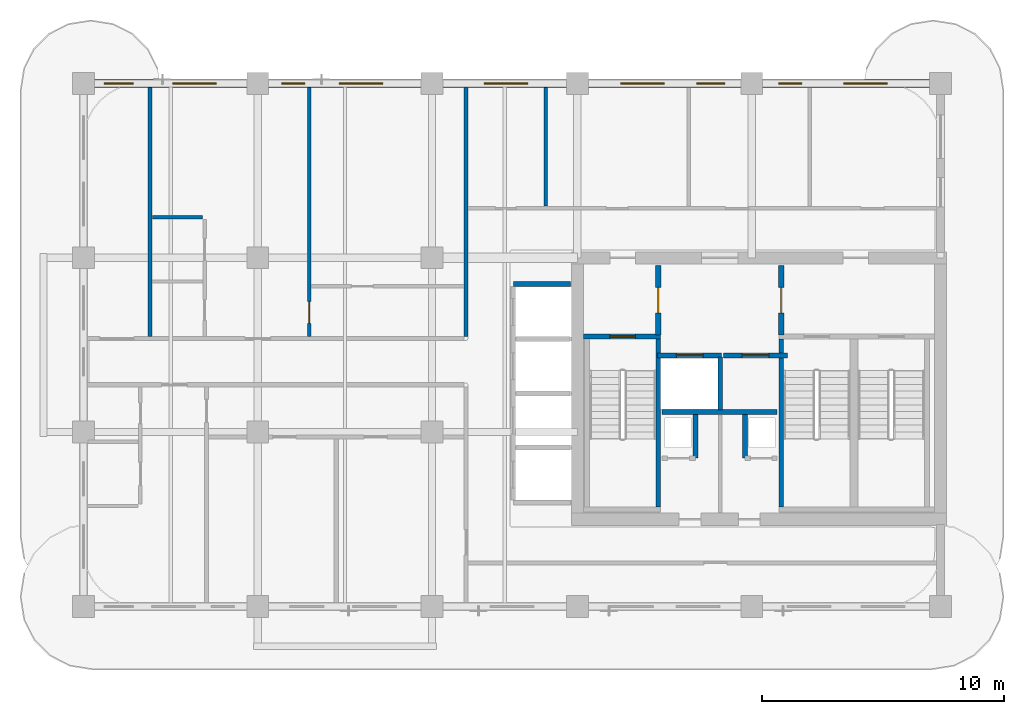
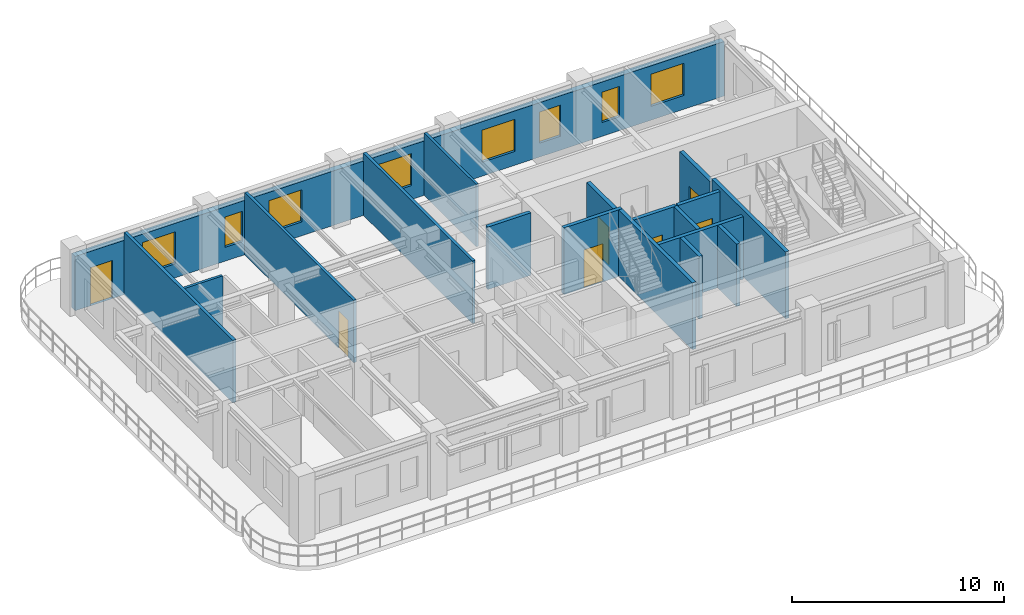
# One storey, part 4 of 7: 18 walls, 8 windows, 7 doors, 15 openings.
"""IFC4 building model written with IfcOpenShell, lengths in metres."""

import ifcopenshell
import ifcopenshell.guid

model = None  # the IFC model being written
_history = None  # IfcOwnerHistory: only IFC2X3 demands one
_inside = {}  # id of a spatial element -> (the spatial element, [elements in it])
_under = {}  # id of a project, library or spatial element -> (it, [spatial elements below it])
_declared = {}  # id of a project -> (the project, [libraries it declares])
_typed = {}  # id of a type object -> (the type object, [elements of that type])
_made_of = {}  # id of a material, layer set ... -> (it, [elements and type objects made of it])


def new_model(schema):
    """Start an empty IFC model of exactly this schema.

    Asked for "IFC4X3", IfcOpenShell would pick the latest addendum, in which some entities
    have other attributes; the version numbers below select the first issue.
    IFC2X3 requires an IfcOwnerHistory on every rooted entity: one is made here for all.
    """
    global model, _history
    if schema == "IFC4X3":
        model = ifcopenshell.file(schema_version=(4, 3, 0, 0))
    else:
        model = ifcopenshell.file(schema=schema)
    _inside.clear()
    _under.clear()
    _declared.clear()
    _typed.clear()
    _made_of.clear()
    _history = None
    if model.schema == "IFC2X3":
        org = make("IfcOrganization", Name="unknown")
        user = make(
            "IfcPersonAndOrganization",
            ThePerson=make("IfcPerson", FamilyName="unknown"),
            TheOrganization=org,
        )
        app = make(
            "IfcApplication",
            ApplicationDeveloper=org,
            Version="unknown",
            ApplicationFullName="unknown",
            ApplicationIdentifier="unknown",
        )
        _history = make(
            "IfcOwnerHistory",
            OwningUser=user,
            OwningApplication=app,
            ChangeAction="ADDED",
            CreationDate=0,
        )
    return model


def make(cls, **values):
    """One entity of the class cls with the attributes given. An attribute that is None is left unset."""
    return model.create_entity(
        cls, **{name: value for name, value in values.items() if value is not None}
    )


def rooted(cls, **values):
    """An entity with a GlobalId (a new one), such as an element, a storey or a relation."""
    return make(cls, GlobalId=ifcopenshell.guid.new(), OwnerHistory=_history, **values)


def si_unit(unit_type, name, prefix=None):
    """IfcSIUnit, for example si_unit("LENGTHUNIT", "METRE", prefix="MILLI")."""
    return make("IfcSIUnit", UnitType=unit_type, Prefix=prefix, Name=name)


def derived_unit(unit_type, elements):
    """IfcDerivedUnit: a product of units, each with its exponent."""
    return make(
        "IfcDerivedUnit",
        Elements=[
            make("IfcDerivedUnitElement", Unit=unit, Exponent=power)
            for unit, power in elements
        ],
        UnitType=unit_type,
    )


def assignment(units):
    """IfcUnitAssignment: the units of a project."""
    return None if units is None else make("IfcUnitAssignment", Units=units)


def point(xyz):
    """IfcCartesianPoint."""
    return None if xyz is None else make("IfcCartesianPoint", Coordinates=xyz)


def direction(xyz):
    """IfcDirection."""
    return None if xyz is None else make("IfcDirection", DirectionRatios=xyz)


def frame(location, z_axis=None, x_axis=None):
    """IfcAxis2Placement3D, a coordinate frame: its origin and axes. An axis left out is left unset."""
    return make(
        "IfcAxis2Placement3D",
        Location=point(location),
        Axis=direction(z_axis),
        RefDirection=direction(x_axis),
    )


def frame_2d(location, x_axis=None):
    """IfcAxis2Placement2D, a coordinate frame in the plane: its origin and x axis."""
    return make(
        "IfcAxis2Placement2D", Location=point(location), RefDirection=direction(x_axis)
    )


def origin():
    """The frame at (0, 0, 0) with its axes left unset."""
    return frame((0.0, 0.0, 0.0))


def place(relative_to, where):
    """IfcLocalPlacement: puts the frame where relative to a parent placement (None: the world)."""
    return make(
        "IfcLocalPlacement", PlacementRelTo=relative_to, RelativePlacement=where
    )


def context(
    kind, dimensions, precision=None, world=None, true_north=None, identifier=None
):
    """IfcGeometricRepresentationContext, for example the 3D "Model" context."""
    return make(
        "IfcGeometricRepresentationContext",
        ContextIdentifier=identifier,
        ContextType=kind,
        CoordinateSpaceDimension=dimensions,
        Precision=precision,
        WorldCoordinateSystem=world,
        TrueNorth=true_north,
    )


def subcontext(parent, identifier, kind, view, scale=None):
    """IfcGeometricRepresentationSubContext, for example "Body" below "Model"."""
    return make(
        "IfcGeometricRepresentationSubContext",
        ContextIdentifier=identifier,
        ContextType=kind,
        ParentContext=parent,
        TargetScale=scale,
        TargetView=view,
    )


def project(units=None, contexts=None):
    """IfcProject with its units and contexts."""
    return rooted(
        "IfcProject",
        Name="project",
        RepresentationContexts=contexts,
        UnitsInContext=assignment(units),
    )


def spatial(cls, under=None, at=None, **own):
    """A site, building, storey or space (cls), placed at a placement, below another one or the project."""
    s = rooted(cls, ObjectPlacement=at, **own)
    if under is not None:
        _under.setdefault(under.id(), (under, []))[1].append(s)
    return s


def profile(cls, at=None, kind="AREA", **sizes):
    """A parametric profile (cls). Its sizes go by their IFC names, for example OverallWidth=200.0."""
    return make(cls, ProfileType=kind, Position=at, **sizes)


def rectangle(**sizes):
    """IfcRectangleProfileDef."""
    return profile("IfcRectangleProfileDef", **sizes)


def extrude(swept, where, along, depth):
    """IfcExtrudedAreaSolid: the profile swept, set in the frame where, extruded along a direction by depth."""
    return make(
        "IfcExtrudedAreaSolid",
        SweptArea=swept,
        Position=where,
        ExtrudedDirection=direction(along),
        Depth=depth,
    )


def shape(context_of_items, identifier, shape_type, items):
    """IfcShapeRepresentation: the items that make up one representation, for example the "Body"."""
    return make(
        "IfcShapeRepresentation",
        ContextOfItems=context_of_items,
        RepresentationIdentifier=identifier,
        RepresentationType=shape_type,
        Items=items,
    )


def source(mapping_origin, context_of_items, identifier, shape_type, items):
    """IfcRepresentationMap: a shape defined once, which mapped items show again and again."""
    return make(
        "IfcRepresentationMap",
        MappingOrigin=mapping_origin,
        MappedRepresentation=shape(context_of_items, identifier, shape_type, items),
    )


def transform(
    local_origin,
    x_axis=None,
    y_axis=None,
    z_axis=None,
    scale=None,
    scale2=None,
    scale3=None,
    uniform=True,
):
    """IfcCartesianTransformationOperator3D, or its non-uniform kind. x_axis, y_axis, z_axis: its Axis1, 2, 3."""
    if uniform:
        return make(
            "IfcCartesianTransformationOperator3D",
            Axis1=direction(x_axis),
            Axis2=direction(y_axis),
            LocalOrigin=point(local_origin),
            Scale=scale,
            Axis3=direction(z_axis),
        )
    return make(
        "IfcCartesianTransformationOperator3DnonUniform",
        Axis1=direction(x_axis),
        Axis2=direction(y_axis),
        LocalOrigin=point(local_origin),
        Scale=scale,
        Axis3=direction(z_axis),
        Scale2=scale2,
        Scale3=scale3,
    )


def mapped(mapping_source, mapping_target):
    """IfcMappedItem: shows the shape of a source again, moved by a transform."""
    return make(
        "IfcMappedItem", MappingSource=mapping_source, MappingTarget=mapping_target
    )


def material(Name=None, Category=None):
    """IfcMaterial."""
    return make("IfcMaterial", Name=Name, Category=Category)


def layer(
    of_material, thickness, ventilated=None, Name=None, Category=None, Priority=None
):
    """IfcMaterialLayer: one layer of a wall or slab, of a material (None: an air gap)."""
    return make(
        "IfcMaterialLayer",
        Material=of_material,
        LayerThickness=thickness,
        IsVentilated=ventilated,
        Name=Name,
        Category=Category,
        Priority=Priority,
    )


def layer_set(layers, Name=None):
    """IfcMaterialLayerSet."""
    return make("IfcMaterialLayerSet", MaterialLayers=layers, LayerSetName=Name)


def made_of(thing, what):
    """Note that an element or type object is made of a material, layer set ...; save() writes the relation."""
    if what is not None:
        _made_of.setdefault(what.id(), (what, []))[1].append(thing)
    return thing


def type_object(cls, material=None, **own):
    """A type object (cls), such as IfcWallType, which elements share."""
    return made_of(rooted(cls, **own), material)


def type_shapes(of_type, sources):
    """Give a type object the sources (RepresentationMaps) that its elements show as mapped items."""
    of_type.RepresentationMaps = sources


def element(
    cls,
    number,
    at=None,
    inside=None,
    cuts=None,
    type_object=None,
    material=None,
    context=None,
    identifier="Body",
    shape_type=None,
    held_by="IfcProductDefinitionShape",
    body=None,
    shapes=None,
    **own,
):
    """One element of the class cls, such as IfcWall. Its Tag is "e" and its number.

    at: its placement. inside: the storey or other place that contains it. cuts: it is an
    opening in that element (IfcRelVoidsElement). A single representation is given by context,
    identifier, shape_type and body (its items); several are given by shapes. held_by: the class
    of the entity that holds the representations. save() writes the other relations.
    """
    e = rooted(cls, Tag="e%d" % number, ObjectPlacement=at, **own)
    if body is not None:
        shapes = [shape(context, identifier, shape_type, body)]
    if shapes is not None:
        e.Representation = make(held_by, Representations=shapes)
    if inside is not None:
        _inside.setdefault(inside.id(), (inside, []))[1].append(e)
    if cuts is not None:
        rooted(
            "IfcRelVoidsElement", RelatingBuildingElement=cuts, RelatedOpeningElement=e
        )
    if type_object is not None:
        _typed.setdefault(type_object.id(), (type_object, []))[1].append(e)
    return made_of(e, material)


def fill(opening, filler):
    """IfcRelFillsElement: the door or window that sits in an opening."""
    return rooted(
        "IfcRelFillsElement",
        RelatingOpeningElement=opening,
        RelatedBuildingElement=filler,
    )


def aggregate(whole, parts):
    """IfcRelAggregates: a whole, such as a stair, and the parts it consists of."""
    return rooted("IfcRelAggregates", RelatingObject=whole, RelatedObjects=parts)


def save(model, path):
    """Write the relations noted so far, then the file.

    IfcRelAggregates (storeys below a building ...), IfcRelContainedInSpatialStructure (elements
    in a storey), IfcRelDefinesByType, IfcRelAssociatesMaterial and IfcRelDeclares: one each for
    every whole, place, type object, material and project.
    """
    for whole, parts in _under.values():
        aggregate(whole, parts)
    for where, things in _inside.values():
        rooted(
            "IfcRelContainedInSpatialStructure",
            RelatedElements=things,
            RelatingStructure=where,
        )
    for kind, things in _typed.values():
        rooted("IfcRelDefinesByType", RelatedObjects=things, RelatingType=kind)
    for what, things in _made_of.values():
        rooted("IfcRelAssociatesMaterial", RelatedObjects=things, RelatingMaterial=what)
    for by, libraries in _declared.values():
        rooted("IfcRelDeclares", RelatingContext=by, RelatedDefinitions=libraries)
    model.write(path)


model = new_model("IFC4")

# Units and contexts
model_context = context("Model", 3, precision=1e-05, world=origin(), true_north=direction((0.0, 1.0)))
body_context = subcontext(model_context, "Body", "Model", "MODEL_VIEW")
ifc_project = project(units=[si_unit("LENGTHUNIT", "METRE"), si_unit("AREAUNIT", "SQUARE_METRE"), si_unit("VOLUMEUNIT", "CUBIC_METRE"), si_unit("PLANEANGLEUNIT", "RADIAN"), si_unit("MASSUNIT", "GRAM", prefix="KILO"), si_unit("THERMODYNAMICTEMPERATUREUNIT", "KELVIN"), si_unit("POWERUNIT", "WATT"), derived_unit("THERMALTRANSMITTANCEUNIT", [(si_unit("POWERUNIT", "WATT"), 1), (si_unit("AREAUNIT", "SQUARE_METRE"), -1), (si_unit("THERMODYNAMICTEMPERATUREUNIT", "KELVIN"), -1)])], contexts=[model_context])

# Site, building, storey
site_placement = place(None, origin())
site = spatial("IfcSite", under=ifc_project, at=site_placement, CompositionType="ELEMENT")
building_placement = place(site_placement, origin())
building = spatial("IfcBuilding", under=site, at=building_placement, Name="Zahravan Archway Hotel and Residences", CompositionType="ELEMENT")
storey_placement = place(building_placement, frame((0.0, 0.0, 217.300048828125)))
storey = spatial("IfcBuildingStorey", under=building, at=storey_placement, Name="L54", CompositionType="ELEMENT", Elevation=217.300048828125)

# Wall, openings, door, windows
ifc_material_1 = material(Name="Agra Buff Sandstone & Insulated Backup", Category="masonry")
ifc_layer_1 = layer(ifc_material_1, 0.320068359375, Name="Agra Buff Sandstone & Insulated Backup", Category="masonry")
ifc_layer_set_1 = layer_set([ifc_layer_1], Name="Agra Buff Sandstone & Insulated Backup")
wall_type_1 = type_object("IfcWallType", Name="EW-SAND-320", PredefinedType="SOLIDWALL", material=ifc_layer_set_1)
wall_1_placement = place(storey_placement, frame((14.39990234375, 21.60009765625, 0.0), z_axis=(0.0, 0.0, 1.0), x_axis=(1.0, 0.0, 0.0)))
wall_1 = element("IfcWall", 1, at=wall_1_placement, inside=storey, type_object=wall_type_1, Name="L54 Exterior Sandstone Wall WA-N", PredefinedType="SOLIDWALL", context=body_context, shape_type="SweptSolid", body=[
    extrude(rectangle(XDim=35.400146484375, YDim=0.320068359375, at=frame_2d((17.7001953125, 0.0))), origin(), (0.0, 0.0, 1.0), 3.135009765625),
])
opening_1_placement = place(wall_1_placement, frame((0.85009765625, 0.0, 0.0)))
opening_1 = element("IfcOpeningElement", 2, at=opening_1_placement, cuts=wall_1, Name="Opening ED-BL1", PredefinedType="OPENING", context=body_context, shape_type="SweptSolid", body=[
    extrude(rectangle(XDim=1.199951171875, YDim=2.199951171875, at=frame_2d((0.60009765625, 1.10009765625))), frame((0.0, 0.169921875, 0.0), z_axis=(0.0, -1.0, 0.0), x_axis=(1.0, 0.0, 0.0)), (0.0, 0.0, 1.0), 0.340087890625),
])
opening_2_placement = place(wall_1_placement, frame((3.678955078125, 0.0, 0.800048828125)))
opening_2 = element("IfcOpeningElement", 3, at=opening_2_placement, cuts=wall_1, Name="Opening W-02", PredefinedType="OPENING", context=body_context, shape_type="SweptSolid", body=[
    extrude(rectangle(XDim=1.800048828125, YDim=1.85009765625, at=frame_2d((0.89990234375, 0.925048828125))), frame((0.0, 0.169921875, 0.0), z_axis=(0.0, -1.0, 0.0), x_axis=(1.0, 0.0, 0.0)), (0.0, 0.0, 1.0), 0.340087890625),
])
opening_3_placement = place(wall_1_placement, frame((8.180908203125, 0.0, 0.800048828125)))
opening_3 = element("IfcOpeningElement", 4, at=opening_3_placement, cuts=wall_1, Name="Opening W-04", PredefinedType="OPENING", context=body_context, shape_type="SweptSolid", body=[
    extrude(rectangle(XDim=0.949951171875, YDim=1.75, at=frame_2d((0.47509765625, 0.875))), frame((0.0, 0.169921875, 0.0), z_axis=(0.0, -1.0, 0.0), x_axis=(1.0, 0.0, 0.0)), (0.0, 0.0, 1.0), 0.340087890625),
])
opening_4_placement = place(wall_1_placement, frame((10.56396484375, 0.0, 0.800048828125)))
opening_4 = element("IfcOpeningElement", 5, at=opening_4_placement, cuts=wall_1, Name="Opening W-02", PredefinedType="OPENING", context=body_context, shape_type="SweptSolid", body=[
    extrude(rectangle(XDim=1.800048828125, YDim=1.85009765625, at=frame_2d((0.89990234375, 0.925048828125))), frame((0.0, 0.169921875, 0.0), z_axis=(0.0, -1.0, 0.0), x_axis=(1.0, 0.0, 0.0)), (0.0, 0.0, 1.0), 0.340087890625),
])
opening_5_placement = place(wall_1_placement, frame((16.551025390625, 0.0, 0.800048828125)))
opening_5 = element("IfcOpeningElement", 6, at=opening_5_placement, cuts=wall_1, Name="Opening W-02", PredefinedType="OPENING", context=body_context, shape_type="SweptSolid", body=[
    extrude(rectangle(XDim=1.800048828125, YDim=1.85009765625, at=frame_2d((0.89990234375, 0.925048828125))), frame((0.0, 0.169921875, 0.0), z_axis=(0.0, -1.0, 0.0), x_axis=(1.0, 0.0, 0.0)), (0.0, 0.0, 1.0), 0.340087890625),
])
opening_6_placement = place(wall_1_placement, frame((22.196044921875, 0.0, 0.800048828125)))
opening_6 = element("IfcOpeningElement", 7, at=opening_6_placement, cuts=wall_1, Name="Opening W-02", PredefinedType="OPENING", context=body_context, shape_type="SweptSolid", body=[
    extrude(rectangle(XDim=1.800048828125, YDim=1.85009765625, at=frame_2d((0.89990234375, 0.925048828125))), frame((0.0, 0.169921875, 0.0), z_axis=(0.0, -1.0, 0.0), x_axis=(1.0, 0.0, 0.0)), (0.0, 0.0, 1.0), 0.340087890625),
])
opening_7_placement = place(wall_1_placement, frame((25.3291015625, 0.0, 0.800048828125)))
opening_7 = element("IfcOpeningElement", 8, at=opening_7_placement, cuts=wall_1, Name="Opening W-05", PredefinedType="OPENING", context=body_context, shape_type="SweptSolid", body=[
    extrude(rectangle(XDim=1.14990234375, YDim=1.800048828125, at=frame_2d((0.574951171875, 0.89990234375))), frame((0.0, 0.169921875, 0.0), z_axis=(0.0, -1.0, 0.0), x_axis=(1.0, 0.0, 0.0)), (0.0, 0.0, 1.0), 0.340087890625),
])
opening_8_placement = place(wall_1_placement, frame((28.720947265625, 0.0, 0.800048828125)))
opening_8 = element("IfcOpeningElement", 9, at=opening_8_placement, cuts=wall_1, Name="Opening W-04", PredefinedType="OPENING", context=body_context, shape_type="SweptSolid", body=[
    extrude(rectangle(XDim=0.949951171875, YDim=1.75, at=frame_2d((0.47509765625, 0.875))), frame((0.0, 0.169921875, 0.0), z_axis=(0.0, -1.0, 0.0), x_axis=(1.0, 0.0, 0.0)), (0.0, 0.0, 1.0), 0.340087890625),
])
opening_9_placement = place(wall_1_placement, frame((31.404052734375, 0.0, 0.800048828125)))
opening_9 = element("IfcOpeningElement", 10, at=opening_9_placement, cuts=wall_1, Name="Opening W-02", PredefinedType="OPENING", context=body_context, shape_type="SweptSolid", body=[
    extrude(rectangle(XDim=1.800048828125, YDim=1.85009765625, at=frame_2d((0.89990234375, 0.925048828125))), frame((0.0, 0.169921875, 0.0), z_axis=(0.0, -1.0, 0.0), x_axis=(1.0, 0.0, 0.0)), (0.0, 0.0, 1.0), 0.340087890625),
])
ifc_material_2 = material(Name="Bronze-Anodized Glazed Aluminium", Category="aluminium")
door_type_1 = type_object("IfcDoorType", Name="ED-BALC-1200", OperationType="SLIDING_TO_LEFT", PredefinedType="DOOR", material=ifc_material_2)
shared_shape_1 = source(origin(), body_context, "Body", "SweptSolid", [
    extrude(rectangle(XDim=1.199951171875, YDim=2.199951171875, at=frame_2d((0.60009765625, 1.10009765625))), frame((0.0, 0.02490234375, 0.0), z_axis=(0.0, -1.0, 0.0), x_axis=(1.0, 0.0, 0.0)), (0.0, 0.0, 1.0), 0.050048828125),
])
type_shapes(door_type_1, [shared_shape_1])
door_1_placement = place(opening_1_placement, origin())
door_1 = element("IfcDoor", 11, at=door_1_placement, inside=storey, type_object=door_type_1, Name="L54 Outdoor Access Sliding Door (SLB-BAL-L54-WA)", OperationType="SLIDING_TO_LEFT", OverallHeight=2.199951171875, OverallWidth=1.199951171875, PredefinedType="DOOR", context=body_context, shape_type="MappedRepresentation", body=[
    mapped(shared_shape_1, transform((0.0, 0.0, 0.0), scale=1.0)),
])
fill(opening_1, door_1)
ifc_material_3 = material(Name="Bronze-Anodized Thermal-Break Aluminium & Low-E Glass", Category="aluminium")
window_type_1 = type_object("IfcWindowType", Name="WIN-NAR-950", PartitioningType="SINGLE_PANEL", PredefinedType="WINDOW", material=ifc_material_3)
shared_shape_2 = source(origin(), body_context, "Body", "SweptSolid", [
    extrude(rectangle(XDim=0.949951171875, YDim=1.75, at=frame_2d((0.47509765625, 0.875))), frame((0.0, 0.030029296875, 0.0), z_axis=(0.0, -1.0, 0.0), x_axis=(1.0, 0.0, 0.0)), (0.0, 0.0, 1.0), 0.06005859375),
])
type_shapes(window_type_1, [shared_shape_2])
window_1_placement = place(opening_3_placement, origin())
window_1 = element("IfcWindow", 12, at=window_1_placement, inside=storey, type_object=window_type_1, Name="L54 Loggia Window 12", OverallHeight=1.75, OverallWidth=0.949951171875, PartitioningType="SINGLE_PANEL", PredefinedType="WINDOW", context=body_context, shape_type="MappedRepresentation", body=[
    mapped(shared_shape_2, transform((0.0, 0.0, 0.0), scale=1.0)),
])
fill(opening_3, window_1)
window_2_placement = place(opening_8_placement, origin())
window_2 = element("IfcWindow", 13, at=window_2_placement, inside=storey, type_object=window_type_1, Name="L54 Loggia Window 17", OverallHeight=1.75, OverallWidth=0.949951171875, PartitioningType="SINGLE_PANEL", PredefinedType="WINDOW", context=body_context, shape_type="MappedRepresentation", body=[
    mapped(shared_shape_2, transform((0.0, 0.0, 0.0), scale=1.0)),
])
fill(opening_8, window_2)
window_type_2 = type_object("IfcWindowType", Name="WIN-TWR-1800", PartitioningType="DOUBLE_PANEL_VERTICAL", PredefinedType="WINDOW", material=ifc_material_3)
shared_shape_3 = source(origin(), body_context, "Body", "SweptSolid", [
    extrude(rectangle(XDim=1.800048828125, YDim=1.85009765625, at=frame_2d((0.89990234375, 0.925048828125))), frame((0.0, 0.030029296875, 0.0), z_axis=(0.0, -1.0, 0.0), x_axis=(1.0, 0.0, 0.0)), (0.0, 0.0, 1.0), 0.06005859375),
])
type_shapes(window_type_2, [shared_shape_3])
window_3_placement = place(opening_2_placement, origin())
window_3 = element("IfcWindow", 14, at=window_3_placement, inside=storey, type_object=window_type_2, Name="L54 Loggia Window 11", OverallHeight=1.85009765625, OverallWidth=1.800048828125, PartitioningType="DOUBLE_PANEL_VERTICAL", PredefinedType="WINDOW", context=body_context, shape_type="MappedRepresentation", body=[
    mapped(shared_shape_3, transform((0.0, 0.0, 0.0), scale=1.0)),
])
fill(opening_2, window_3)
window_4_placement = place(opening_4_placement, origin())
window_4 = element("IfcWindow", 15, at=window_4_placement, inside=storey, type_object=window_type_2, Name="L54 Loggia Window 13", OverallHeight=1.85009765625, OverallWidth=1.800048828125, PartitioningType="DOUBLE_PANEL_VERTICAL", PredefinedType="WINDOW", context=body_context, shape_type="MappedRepresentation", body=[
    mapped(shared_shape_3, transform((0.0, 0.0, 0.0), scale=1.0)),
])
fill(opening_4, window_4)
window_5_placement = place(opening_5_placement, origin())
window_5 = element("IfcWindow", 16, at=window_5_placement, inside=storey, type_object=window_type_2, Name="L54 Loggia Window 14", OverallHeight=1.85009765625, OverallWidth=1.800048828125, PartitioningType="DOUBLE_PANEL_VERTICAL", PredefinedType="WINDOW", context=body_context, shape_type="MappedRepresentation", body=[
    mapped(shared_shape_3, transform((0.0, 0.0, 0.0), scale=1.0)),
])
fill(opening_5, window_5)
window_6_placement = place(opening_6_placement, origin())
window_6 = element("IfcWindow", 17, at=window_6_placement, inside=storey, type_object=window_type_2, Name="L54 Loggia Window 15", OverallHeight=1.85009765625, OverallWidth=1.800048828125, PartitioningType="DOUBLE_PANEL_VERTICAL", PredefinedType="WINDOW", context=body_context, shape_type="MappedRepresentation", body=[
    mapped(shared_shape_3, transform((0.0, 0.0, 0.0), scale=1.0)),
])
fill(opening_6, window_6)
window_7_placement = place(opening_9_placement, origin())
window_7 = element("IfcWindow", 18, at=window_7_placement, inside=storey, type_object=window_type_2, Name="L54 Loggia Window 18", OverallHeight=1.85009765625, OverallWidth=1.800048828125, PartitioningType="DOUBLE_PANEL_VERTICAL", PredefinedType="WINDOW", context=body_context, shape_type="MappedRepresentation", body=[
    mapped(shared_shape_3, transform((0.0, 0.0, 0.0), scale=1.0)),
])
fill(opening_9, window_7)
window_type_3 = type_object("IfcWindowType", Name="WIN-TWR-1150", PartitioningType="SINGLE_PANEL", PredefinedType="WINDOW", material=ifc_material_3)
shared_shape_4 = source(origin(), body_context, "Body", "SweptSolid", [
    extrude(rectangle(XDim=1.14990234375, YDim=1.800048828125, at=frame_2d((0.574951171875, 0.89990234375))), frame((0.0, 0.030029296875, 0.0), z_axis=(0.0, -1.0, 0.0), x_axis=(1.0, 0.0, 0.0)), (0.0, 0.0, 1.0), 0.06005859375),
])
type_shapes(window_type_3, [shared_shape_4])
window_8_placement = place(opening_7_placement, origin())
window_8 = element("IfcWindow", 19, at=window_8_placement, inside=storey, type_object=window_type_3, Name="L54 Loggia Window 16", OverallHeight=1.800048828125, OverallWidth=1.14990234375, PartitioningType="SINGLE_PANEL", PredefinedType="WINDOW", context=body_context, shape_type="MappedRepresentation", body=[
    mapped(shared_shape_4, transform((0.0, 0.0, 0.0), scale=1.0)),
])
fill(opening_7, window_8)

# Wall, opening, door
ifc_material_4 = material(Name="Fire-Rated Gypsum & Concrete Block", Category="concrete")
ifc_layer_2 = layer(ifc_material_4, 0.219970703125, Name="Fire-Rated Gypsum & Concrete Block", Category="concrete")
ifc_layer_set_2 = layer_set([ifc_layer_2], Name="Fire-Rated Gypsum & Concrete Block")
wall_type_2 = type_object("IfcWallType", Name="PW-COMP-220", PredefinedType="PARTITIONING", material=ifc_layer_set_2)
wall_2_placement = place(storey_placement, frame((38.139892578125, 11.219970703125, 0.0), z_axis=(0.0, 0.0, 1.0), x_axis=(0.0, 1.0, 0.0)))
wall_2 = element("IfcWall", 20, at=wall_2_placement, inside=storey, type_object=wall_type_2, Name="L54 Partition CA-LOBW", PredefinedType="PARTITIONING", context=body_context, shape_type="SweptSolid", body=[
    extrude(rectangle(XDim=2.860107421875, YDim=0.219970703125, at=frame_2d((1.43017578125, 0.0))), origin(), (0.0, 0.0, 1.0), 3.599853515625),
])
opening_10_placement = place(wall_2_placement, frame((0.905029296875, 0.0, 0.0)))
opening_10 = element("IfcOpeningElement", 21, at=opening_10_placement, cuts=wall_2, Name="Opening FD-L2", PredefinedType="OPENING", context=body_context, shape_type="SweptSolid", body=[
    extrude(rectangle(XDim=1.050048828125, YDim=2.14990234375, at=frame_2d((0.52490234375, 1.074951171875))), frame((0.0, 0.1201171875, 0.0), z_axis=(0.0, -1.0, 0.0), x_axis=(1.0, 0.0, 0.0)), (0.0, 0.0, 1.0), 0.239990234375),
])
ifc_material_5 = material(Name="Fire-Rated Painted Steel", Category="steel")
door_type_2 = type_object("IfcDoorType", Name="FD-LOBBY-1100", OperationType="NOTDEFINED", PredefinedType="DOOR", material=ifc_material_5)
shared_shape_5 = source(origin(), body_context, "Body", "SweptSolid", [
    extrude(rectangle(XDim=1.050048828125, YDim=2.14990234375, at=frame_2d((0.52490234375, 1.074951171875))), frame((0.0, 0.02490234375, 0.0), z_axis=(0.0, -1.0, 0.0), x_axis=(1.0, 0.0, 0.0)), (0.0, 0.0, 1.0), 0.050048828125),
])
type_shapes(door_type_2, [shared_shape_5])
door_2_placement = place(opening_10_placement, origin())
door_2 = element("IfcDoor", 22, at=door_2_placement, inside=storey, type_object=door_type_2, Name="L54 Core A West Stair to FSAE Lobby Door", OperationType="SINGLE_SWING_LEFT", OverallHeight=2.14990234375, OverallWidth=1.050048828125, PredefinedType="DOOR", context=body_context, shape_type="MappedRepresentation", body=[
    mapped(shared_shape_5, transform((0.0, 0.0, 0.0), scale=1.0)),
])
fill(opening_10, door_2)

wall_3_placement = place(storey_placement, frame((43.219970703125, 11.219970703125, 0.0), z_axis=(0.0, 0.0, 1.0), x_axis=(0.0, 1.0, 0.0)))
wall_3 = element("IfcWall", 23, at=wall_3_placement, inside=storey, type_object=wall_type_2, Name="L54 Partition CA-LOBE", PredefinedType="PARTITIONING", context=body_context, shape_type="SweptSolid", body=[
    extrude(rectangle(XDim=2.860107421875, YDim=0.219970703125, at=frame_2d((1.43017578125, 0.0))), origin(), (0.0, 0.0, 1.0), 3.599853515625),
])
opening_11_placement = place(wall_3_placement, frame((0.905029296875, 0.0, 0.0)))
opening_11 = element("IfcOpeningElement", 24, at=opening_11_placement, cuts=wall_3, Name="Opening FD-L2", PredefinedType="OPENING", context=body_context, shape_type="SweptSolid", body=[
    extrude(rectangle(XDim=1.050048828125, YDim=2.14990234375, at=frame_2d((0.52490234375, 1.074951171875))), frame((0.0, 0.1201171875, 0.0), z_axis=(0.0, -1.0, 0.0), x_axis=(1.0, 0.0, 0.0)), (0.0, 0.0, 1.0), 0.239990234375),
])
door_3_placement = place(opening_11_placement, origin())
door_3 = element("IfcDoor", 25, at=door_3_placement, inside=storey, type_object=door_type_2, Name="L54 Core A East Stair to FSAE Lobby Door", OperationType="SINGLE_SWING_RIGHT", OverallHeight=2.14990234375, OverallWidth=1.050048828125, PredefinedType="DOOR", context=body_context, shape_type="MappedRepresentation", body=[
    mapped(shared_shape_5, transform((0.0, 0.0, 0.0), scale=1.0)),
])
fill(opening_11, door_3)

# Walls
ifc_layer_3 = layer(ifc_material_4, 0.159912109375, Name="Fire-Rated Gypsum & Concrete Block", Category="concrete")
ifc_layer_set_3 = layer_set([ifc_layer_3], Name="Fire-Rated Gypsum & Concrete Block")
wall_type_3 = type_object("IfcWallType", Name="PW-CORR-160", PredefinedType="PARTITIONING", material=ifc_layer_set_3)
wall_4_placement = place(storey_placement, frame((30.199951171875, 11.159912109375, 0.0), z_axis=(0.0, 0.0, 1.0), x_axis=(0.0, 1.0, 0.0)))
element("IfcWall", 26, at=wall_4_placement, inside=storey, type_object=wall_type_3, Name="L54 Partition WA-FW", PredefinedType="PARTITIONING", context=body_context, shape_type="SweptSolid", body=[
    extrude(rectangle(XDim=10.300048828125, YDim=0.159912109375, at=frame_2d((5.14990234375, 0.0))), origin(), (0.0, 0.0, 1.0), 3.599853515625),
])
ifc_layer_4 = layer(ifc_material_4, 0.199951171875, Name="Fire-Rated Gypsum & Concrete Block", Category="concrete")
ifc_layer_set_4 = layer_set([ifc_layer_4], Name="Fire-Rated Gypsum & Concrete Block")
wall_type_4 = type_object("IfcWallType", Name="PW-SHAFT-200", PredefinedType="PARTITIONING", material=ifc_layer_set_4)
wall_5_placement = place(storey_placement, frame((38.300048828125, 8.030029296875, 0.0), z_axis=(0.0, 0.0, 1.0), x_axis=(1.0, 0.0, 0.0)))
element("IfcWall", 27, at=wall_5_placement, inside=storey, type_object=wall_type_4, Name="L54 Partition CA-FLS", PredefinedType="PARTITIONING", context=body_context, shape_type="SweptSolid", body=[
    extrude(rectangle(XDim=4.739990234375, YDim=0.199951171875, at=frame_2d((2.3701171875, 0.0))), origin(), (0.0, 0.0, 1.0), 3.599853515625),
])
wall_6_placement = place(storey_placement, frame((40.699951171875, 8.1201171875, 0.0), z_axis=(0.0, 0.0, 1.0), x_axis=(0.0, 1.0, 0.0)))
element("IfcWall", 28, at=wall_6_placement, inside=storey, type_object=wall_type_4, Name="L54 Partition CA-FLM", PredefinedType="PARTITIONING", context=body_context, shape_type="SweptSolid", body=[
    extrude(rectangle(XDim=2.179931640625, YDim=0.199951171875, at=frame_2d((1.08984375, 0.0))), origin(), (0.0, 0.0, 1.0), 3.599853515625),
])
for number, where, z_axis, x_axis, name in (
    (29, (39.679931640625, 6.1298828125, 0.0), (0.0, 0.0, 1.0), (0.0, 1.0, 0.0), "L54 Partition CA-SMKE"),
    (30, (41.719970703125, 6.1298828125, 0.0), (0.0, 0.0, 1.0), (0.0, 1.0, 0.0), "L54 Partition CA-MEPW"),
):
    element("IfcWall", number, at=place(storey_placement, frame(where, z_axis=z_axis, x_axis=x_axis)), inside=storey, type_object=wall_type_4, Name=name, PredefinedType="PARTITIONING", context=body_context, shape_type="SweptSolid", body=[
        extrude(rectangle(XDim=1.7900390625, YDim=0.199951171875, at=frame_2d((0.89501953125, 0.0))), origin(), (0.0, 0.0, 1.0), 3.599853515625),
    ])
wall_7_placement = place(storey_placement, frame((32.159912109375, 13.320068359375, 0.0), z_axis=(0.0, 0.0, 1.0), x_axis=(1.0, 0.0, 0.0)))
element("IfcWall", 31, at=wall_7_placement, inside=storey, type_object=wall_type_4, Name="L54 Partition B3-N", PredefinedType="PARTITIONING", context=body_context, shape_type="SweptSolid", body=[
    extrude(rectangle(XDim=2.360107421875, YDim=0.199951171875, at=frame_2d((1.18017578125, 0.0))), origin(), (0.0, 0.0, 1.0), 3.599853515625),
])

# Wall, opening, door
wall_8_placement = place(storey_placement, frame((38.1201171875, 10.3701171875, 0.0), z_axis=(0.0, 0.0, 1.0), x_axis=(1.0, 0.0, 0.0)))
wall_8 = element("IfcWall", 32, at=wall_8_placement, inside=storey, type_object=wall_type_4, Name="L54 Lift FL-1 Front Wall", PredefinedType="PARTITIONING", context=body_context, shape_type="SweptSolid", body=[
    extrude(rectangle(XDim=2.639892578125, YDim=0.199951171875, at=frame_2d((1.31982421875, 0.0))), origin(), (0.0, 0.0, 1.0), 3.599853515625),
])
opening_12_placement = place(wall_8_placement, frame((0.77001953125, 0.0, 0.0)))
opening_12 = element("IfcOpeningElement", 33, at=opening_12_placement, cuts=wall_8, Name="Opening LD", PredefinedType="OPENING", context=body_context, shape_type="SweptSolid", body=[
    extrude(rectangle(XDim=1.10009765625, YDim=2.199951171875, at=frame_2d((0.550048828125, 1.10009765625))), frame((0.0, 0.10986328125, 0.0), z_axis=(0.0, -1.0, 0.0), x_axis=(1.0, 0.0, 0.0)), (0.0, 0.0, 1.0), 0.219970703125),
])
ifc_material_6 = material(Name="Brushed Stainless Steel", Category="steel")
door_type_3 = type_object("IfcDoorType", Name="DR-LIFT-LD", OperationType="SLIDING_TO_LEFT", PredefinedType="DOOR", material=ifc_material_6)
shared_shape_6 = source(origin(), body_context, "Body", "SweptSolid", [
    extrude(rectangle(XDim=1.10009765625, YDim=2.199951171875, at=frame_2d((0.550048828125, 1.10009765625))), frame((0.0, 0.02490234375, 0.0), z_axis=(0.0, -1.0, 0.0), x_axis=(1.0, 0.0, 0.0)), (0.0, 0.0, 1.0), 0.050048828125),
])
type_shapes(door_type_3, [shared_shape_6])
door_4_placement = place(opening_12_placement, origin())
door_4 = element("IfcDoor", 34, at=door_4_placement, inside=storey, type_object=door_type_3, Name="L54 Lift FL-1 Sliding Landing Door", OperationType="SLIDING_TO_LEFT", OverallHeight=2.199951171875, OverallWidth=1.10009765625, PredefinedType="DOOR", context=body_context, shape_type="MappedRepresentation", body=[
    mapped(shared_shape_6, transform((0.0, 0.0, 0.0), scale=1.0)),
])
fill(opening_12, door_4)

wall_9_placement = place(storey_placement, frame((40.840087890625, 10.3701171875, 0.0), z_axis=(0.0, 0.0, 1.0), x_axis=(1.0, 0.0, 0.0)))
wall_9 = element("IfcWall", 35, at=wall_9_placement, inside=storey, type_object=wall_type_4, Name="L54 Lift FL-2 Front Wall", PredefinedType="PARTITIONING", context=body_context, shape_type="SweptSolid", body=[
    extrude(rectangle(XDim=2.639892578125, YDim=0.199951171875, at=frame_2d((1.31982421875, 0.0))), origin(), (0.0, 0.0, 1.0), 3.599853515625),
])
opening_13_placement = place(wall_9_placement, frame((0.77001953125, 0.0, 0.0)))
opening_13 = element("IfcOpeningElement", 36, at=opening_13_placement, cuts=wall_9, Name="Opening LD", PredefinedType="OPENING", context=body_context, shape_type="SweptSolid", body=[
    extrude(rectangle(XDim=1.10009765625, YDim=2.199951171875, at=frame_2d((0.550048828125, 1.10009765625))), frame((0.0, 0.10986328125, 0.0), z_axis=(0.0, -1.0, 0.0), x_axis=(1.0, 0.0, 0.0)), (0.0, 0.0, 1.0), 0.219970703125),
])
door_5_placement = place(opening_13_placement, origin())
door_5 = element("IfcDoor", 37, at=door_5_placement, inside=storey, type_object=door_type_3, Name="L54 Lift FL-2 Sliding Landing Door", OperationType="SLIDING_TO_LEFT", OverallHeight=2.199951171875, OverallWidth=1.10009765625, PredefinedType="DOOR", context=body_context, shape_type="MappedRepresentation", body=[
    mapped(shared_shape_6, transform((0.0, 0.0, 0.0), scale=1.0)),
])
fill(opening_13, door_5)

ifc_material_7 = material(Name="Acoustic Stud Partition")
ifc_layer_5 = layer(ifc_material_7, 0.14990234375, Name="Acoustic Stud Partition")
ifc_layer_set_5 = layer_set([ifc_layer_5], Name="Acoustic Stud Partition")
wall_type_5 = type_object("IfcWallType", Name="PW-UNIT-150", PredefinedType="PARTITIONING", material=ifc_layer_set_5)
wall_10_placement = place(storey_placement, frame((23.719970703125, 11.159912109375, 0.0), z_axis=(0.0, 0.0, 1.0), x_axis=(0.0, 1.0, 0.0)))
wall_10 = element("IfcWall", 38, at=wall_10_placement, inside=storey, type_object=wall_type_5, Name="L54 Partition FL-N1-SP", PredefinedType="PARTITIONING", context=body_context, shape_type="SweptSolid", body=[
    extrude(rectangle(XDim=10.27197265625, YDim=0.14990234375, at=frame_2d((5.135986328125, 0.0))), origin(), (0.0, 0.0, 1.0), 3.599853515625),
])
opening_14_placement = place(wall_10_placement, frame((0.534912109375, 0.0, 0.0)))
opening_14 = element("IfcOpeningElement", 39, at=opening_14_placement, cuts=wall_10, Name="Opening D-I2", PredefinedType="OPENING", context=body_context, shape_type="SweptSolid", body=[
    extrude(rectangle(XDim=0.89990234375, YDim=2.14990234375, at=frame_2d((0.449951171875, 1.074951171875))), frame((0.0, 0.0849609375, 0.0), z_axis=(0.0, -1.0, 0.0), x_axis=(1.0, 0.0, 0.0)), (0.0, 0.0, 1.0), 0.169921875),
])
ifc_material_8 = material(Name="Hardwood Veneer Timber", Category="wood")
door_type_4 = type_object("IfcDoorType", Name="ID-INT-900", OperationType="NOTDEFINED", PredefinedType="DOOR", material=ifc_material_8)
shared_shape_7 = source(origin(), body_context, "Body", "SweptSolid", [
    extrude(rectangle(XDim=0.89990234375, YDim=2.14990234375, at=frame_2d((0.449951171875, 1.074951171875))), frame((0.0, 0.02490234375, 0.0), z_axis=(0.0, -1.0, 0.0), x_axis=(1.0, 0.0, 0.0)), (0.0, 0.0, 1.0), 0.050048828125),
])
type_shapes(door_type_4, [shared_shape_7])
door_6_placement = place(opening_14_placement, origin())
door_6 = element("IfcDoor", 40, at=door_6_placement, inside=storey, type_object=door_type_4, Name="L54 Flat N1 Bedroom Hall Door", OperationType="SINGLE_SWING_RIGHT", OverallHeight=2.14990234375, OverallWidth=0.89990234375, PredefinedType="DOOR", context=body_context, shape_type="MappedRepresentation", body=[
    mapped(shared_shape_7, transform((0.0, 0.0, 0.0), scale=1.0)),
])
fill(opening_14, door_6)

# Walls
ifc_layer_6 = layer(ifc_material_7, 0.169921875, Name="Acoustic Stud Partition")
ifc_layer_set_6 = layer_set([ifc_layer_6], Name="Acoustic Stud Partition")
wall_type_6 = type_object("IfcWallType", Name="PW-UNIT-170", PredefinedType="PARTITIONING", material=ifc_layer_set_6)
wall_11_placement = place(storey_placement, frame((17.14990234375, 11.159912109375, 0.0), z_axis=(0.0, 0.0, 1.0), x_axis=(0.0, 1.0, 0.0)))
element("IfcWall", 41, at=wall_11_placement, inside=storey, type_object=wall_type_6, Name="L54 Partition WAN-N1", PredefinedType="PARTITIONING", context=body_context, shape_type="SweptSolid", body=[
    extrude(rectangle(XDim=10.27197265625, YDim=0.169921875, at=frame_2d((5.135986328125, 0.0))), origin(), (0.0, 0.0, 1.0), 3.599853515625),
])
ifc_material_9 = material(Name="Moisture-Resistant Blockwork", Category="masonry")
ifc_layer_7 = layer(ifc_material_9, 0.139892578125, Name="Moisture-Resistant Blockwork", Category="masonry")
ifc_layer_set_7 = layer_set([ifc_layer_7], Name="Moisture-Resistant Blockwork")
wall_type_7 = type_object("IfcWallType", Name="PW-WET-140", PredefinedType="PARTITIONING", material=ifc_layer_set_7)
wall_12_placement = place(storey_placement, frame((33.5, 16.5400390625, 0.0), z_axis=(0.0, 0.0, 1.0), x_axis=(0.0, 1.0, 0.0)))
element("IfcWall", 42, at=wall_12_placement, inside=storey, type_object=wall_type_7, Name="L54 Partition NE2-1", PredefinedType="PARTITIONING", context=body_context, shape_type="SweptSolid", body=[
    extrude(rectangle(XDim=4.891845703125, YDim=0.139892578125, at=frame_2d((2.44580078125, 0.0))), origin(), (0.0, 0.0, 1.0), 3.599853515625),
])
wall_13_placement = place(storey_placement, frame((17.239990234375, 16.070068359375, 0.0), z_axis=(0.0, 0.0, 1.0), x_axis=(1.0, 0.0, 0.0)))
element("IfcWall", 43, at=wall_13_placement, inside=storey, type_object=wall_type_7, Name="L54 Partition FL-N1-KH", PredefinedType="PARTITIONING", context=body_context, shape_type="SweptSolid", body=[
    extrude(rectangle(XDim=2.070068359375, YDim=0.139892578125, at=frame_2d((1.03515625, 0.0))), origin(), (0.0, 0.0, 1.0), 3.599853515625),
])
ifc_material_10 = material(Name="Concrete C50/60", Category="concrete")
ifc_layer_8 = layer(ifc_material_10, 0.199951171875, Name="Concrete C50/60", Category="concrete")
ifc_layer_set_8 = layer_set([ifc_layer_8], Name="Concrete C50/60")
wall_type_8 = type_object("IfcWallType", Name="SW-STAIR-200", PredefinedType="SHEAR", material=ifc_layer_set_8)
wall_14_placement = place(storey_placement, frame((38.139892578125, 4.10009765625, 0.0), z_axis=(0.0, 0.0, 1.0), x_axis=(0.0, 1.0, 0.0)))
element("IfcWall", 44, at=wall_14_placement, inside=storey, type_object=wall_type_8, Name="L54 Stairwell RC Wall CA-SA1E", PredefinedType="SHEAR", context=body_context, shape_type="SweptSolid", body=[
    extrude(rectangle(XDim=6.949951171875, YDim=0.199951171875, at=frame_2d((3.47509765625, 0.0))), origin(), (0.0, 0.0, 1.0), 3.849853515625),
])

# Wall, opening, door
wall_15_placement = place(storey_placement, frame((35.050048828125, 11.14990234375, 0.0), z_axis=(0.0, 0.0, 1.0), x_axis=(1.0, 0.0, 0.0)))
wall_15 = element("IfcWall", 45, at=wall_15_placement, inside=storey, type_object=wall_type_8, Name="L54 Stairwell RC Wall CA-SA1N", PredefinedType="SHEAR", context=body_context, shape_type="SweptSolid", body=[
    extrude(rectangle(XDim=3.18994140625, YDim=0.199951171875, at=frame_2d((1.594970703125, 0.0))), origin(), (0.0, 0.0, 1.0), 3.849853515625),
])
opening_15_placement = place(wall_15_placement, frame((1.094970703125, 0.0, 0.0)))
opening_15 = element("IfcOpeningElement", 46, at=opening_15_placement, cuts=wall_15, Name="Opening FD-S1", PredefinedType="OPENING", context=body_context, shape_type="SweptSolid", body=[
    extrude(rectangle(XDim=1.050048828125, YDim=2.199951171875, at=frame_2d((0.52490234375, 1.10009765625))), frame((0.0, 0.10986328125, 0.0), z_axis=(0.0, -1.0, 0.0), x_axis=(1.0, 0.0, 0.0)), (0.0, 0.0, 1.0), 0.219970703125),
])
door_type_5 = type_object("IfcDoorType", Name="FD-STAIR-1100", OperationType="NOTDEFINED", PredefinedType="DOOR", material=ifc_material_5)
shared_shape_8 = source(origin(), body_context, "Body", "SweptSolid", [
    extrude(rectangle(XDim=1.050048828125, YDim=2.199951171875, at=frame_2d((0.52490234375, 1.10009765625))), frame((0.0, 0.02490234375, 0.0), z_axis=(0.0, -1.0, 0.0), x_axis=(1.0, 0.0, 0.0)), (0.0, 0.0, 1.0), 0.050048828125),
])
type_shapes(door_type_5, [shared_shape_8])
door_7_placement = place(opening_15_placement, origin())
door_7 = element("IfcDoor", 47, at=door_7_placement, inside=storey, type_object=door_type_5, Name="L54 Stair ST-A1 Door", OperationType="SINGLE_SWING_RIGHT", OverallHeight=2.199951171875, OverallWidth=1.050048828125, PredefinedType="DOOR", context=body_context, shape_type="MappedRepresentation", body=[
    mapped(shared_shape_8, transform((0.0, 0.0, 0.0), scale=1.0)),
])
fill(opening_15, door_7)

# Wall
wall_16_placement = place(storey_placement, frame((43.219970703125, 4.10009765625, 0.0), z_axis=(0.0, 0.0, 1.0), x_axis=(0.0, 1.0, 0.0)))
element("IfcWall", 48, at=wall_16_placement, inside=storey, type_object=wall_type_8, Name="L54 Stairwell RC Wall CA-SA2W", PredefinedType="SHEAR", context=body_context, shape_type="SweptSolid", body=[
    extrude(rectangle(XDim=6.949951171875, YDim=0.199951171875, at=frame_2d((3.47509765625, 0.0))), origin(), (0.0, 0.0, 1.0), 3.849853515625),
])

save(model, "model.ifc")
